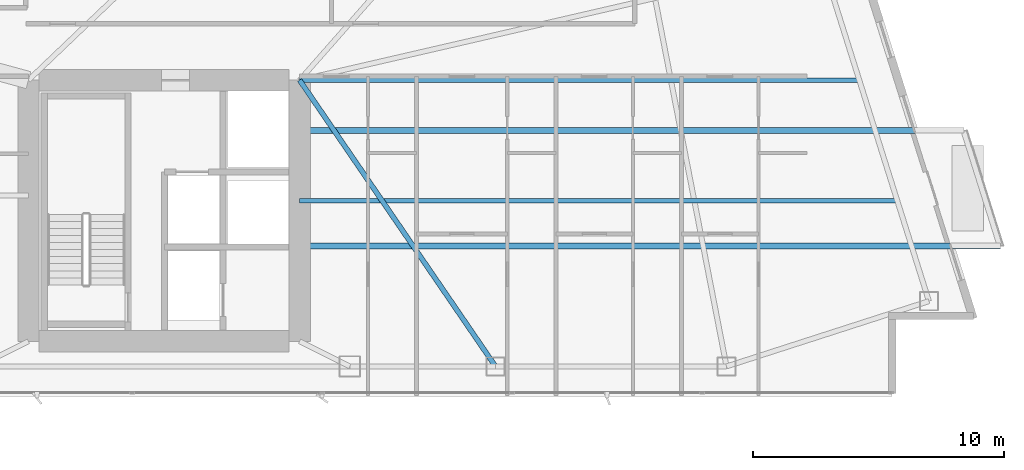
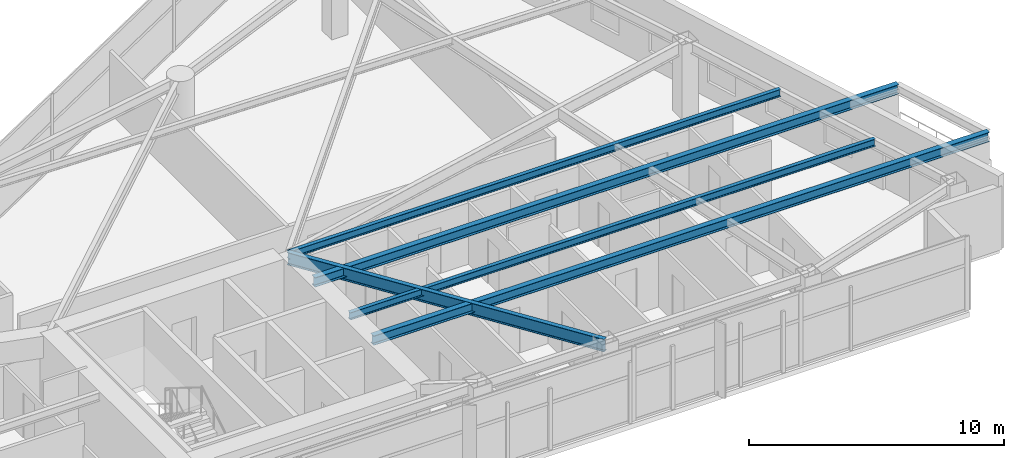
# One storey, part 13 of 29: 5 beams.
"""IFC4 building model written with IfcOpenShell, lengths in metres."""

from ifc_helpers import new_model, si_unit, direction, frame, origin, origin_2d, place, context, subcontext, project, spatial, i_section, extrude, material, material_profile, profile_set, type_object, element, save


model = new_model("IFC4")

# Units and contexts
model_context = context("Model", 3, precision=1e-05, world=origin(), true_north=direction((0.0, 1.0)))
body_context = subcontext(model_context, "Body", "Model", "MODEL_VIEW")
ifc_project = project(units=[si_unit("LENGTHUNIT", "METRE"), si_unit("AREAUNIT", "SQUARE_METRE"), si_unit("VOLUMEUNIT", "CUBIC_METRE"), si_unit("PLANEANGLEUNIT", "RADIAN"), si_unit("MASSUNIT", "GRAM", prefix="KILO")], contexts=[model_context])

# Site, building, storey
site_placement = place(None, origin())
site = spatial("IfcSite", under=ifc_project, at=site_placement, CompositionType="ELEMENT")
building_placement = place(site_placement, origin())
building = spatial("IfcBuilding", under=site, at=building_placement, Name="Calvorn Quay Hotel", CompositionType="ELEMENT")
storey_placement = place(building_placement, frame((0.0, 0.0, 167.5)))
storey = spatial("IfcBuildingStorey", under=building, at=storey_placement, Name="L41", CompositionType="ELEMENT", Elevation=167.5)

# Beams
ifc_material_1 = material(Name="Steel Q355B", Category="steel")
ifc_material_profile_1 = material_profile(ifc_material_1, i_section(OverallWidth=0.25, OverallDepth=0.449951171875, WebThickness=0.011962890625, FlangeThickness=0.01611328125, FilletRadius=0.01611328125, at=origin_2d()), Name="HN450x250x12x16")
ifc_profile_set_1 = profile_set([ifc_material_profile_1], Name="Steel Q355B")
beam_type_1 = type_object("IfcBeamType", Name="BM-CANT-BALC", PredefinedType="BEAM", material=ifc_profile_set_1)
beam_1_placement = place(storey_placement, frame((32.39990234375, 8.39990234375, 3.31494140625), z_axis=(1.0, 0.0, 0.0), x_axis=(0.0, 1.0, 0.0)))
element("IfcBeam", 1, at=beam_1_placement, inside=storey, type_object=beam_type_1, Name="Cantilever Balcony Beam BCB-L42-1A", PredefinedType="BEAM", context=body_context, shape_type="SweptSolid", body=[
    extrude(i_section(OverallWidth=0.25, OverallDepth=0.449951171875, WebThickness=0.011962890625, FlangeThickness=0.01611328125, FilletRadius=0.01611328125, at=origin_2d()), origin(), (0.0, 0.0, 1.0), 27.908203125),
])
beam_2_placement = place(storey_placement, frame((32.39990234375, 13.0, 3.31494140625), z_axis=(1.0, 0.0, 0.0), x_axis=(0.0, 1.0, 0.0)))
element("IfcBeam", 2, at=beam_2_placement, inside=storey, type_object=beam_type_1, Name="Cantilever Balcony Beam BCB-L42-1B", PredefinedType="BEAM", context=body_context, shape_type="SweptSolid", body=[
    extrude(i_section(OverallWidth=0.25, OverallDepth=0.449951171875, WebThickness=0.011962890625, FlangeThickness=0.01611328125, FilletRadius=0.01611328125, at=origin_2d()), origin(), (0.0, 0.0, 1.0), 26.4580078125),
])
ifc_material_2 = material(Name="Steel Q355B", Category="steel")
ifc_material_profile_2 = material_profile(ifc_material_2, i_section(OverallWidth=0.199951171875, OverallDepth=0.60009765625, WebThickness=0.010986328125, FlangeThickness=0.01708984375, FilletRadius=0.01806640625, at=origin_2d()), Name="HN600x200x11x17")
ifc_profile_set_2 = profile_set([ifc_material_profile_2], Name="Steel Q355B")
beam_type_2 = type_object("IfcBeamType", Name="BM-GIRD-TYP", PredefinedType="BEAM", material=ifc_profile_set_2)
beam_3_placement = place(storey_placement, frame((40.199951171875, 3.60009765625, 3.239990234375), z_axis=(-0.564689618177, 0.825303359452, 0.0), x_axis=(-0.825303359452, -0.564689618177, 0.0)))
element("IfcBeam", 3, at=beam_3_placement, inside=storey, type_object=beam_type_2, Name="Beam BG-L41-E6", PredefinedType="BEAM", context=body_context, shape_type="SweptSolid", body=[
    extrude(i_section(OverallWidth=0.199951171875, OverallDepth=0.60009765625, WebThickness=0.010986328125, FlangeThickness=0.01708984375, FilletRadius=0.01806640625, at=origin_2d()), origin(), (0.0, 0.0, 1.0), 13.81298828125),
])
ifc_material_3 = material(Name="Steel Q355B", Category="steel")
ifc_material_profile_3 = material_profile(ifc_material_3, i_section(OverallWidth=0.175048828125, OverallDepth=0.35009765625, WebThickness=0.007080078125, FlangeThickness=0.010986328125, FilletRadius=0.013916015625, at=origin_2d()), Name="HN350x175x7x11")
ifc_profile_set_3 = profile_set([ifc_material_profile_3], Name="Steel Q355B")
beam_type_3 = type_object("IfcBeamType", Name="BM-JOIST-SEC", PredefinedType="JOIST", material=ifc_profile_set_3)
beam_4_placement = place(storey_placement, frame((32.39990234375, 10.199951171875, 3.364990234375), z_axis=(1.0, 0.0, 0.0), x_axis=(0.0, 1.0, 0.0)))
element("IfcBeam", 4, at=beam_4_placement, inside=storey, type_object=beam_type_3, Name="Beam BJ-L41-E1", PredefinedType="JOIST", context=body_context, shape_type="SweptSolid", body=[
    extrude(i_section(OverallWidth=0.175048828125, OverallDepth=0.35009765625, WebThickness=0.007080078125, FlangeThickness=0.010986328125, FilletRadius=0.013916015625, at=origin_2d()), origin(), (0.0, 0.0, 1.0), 23.801025390625),
])
beam_5_placement = place(storey_placement, frame((32.39990234375, 15.0, 3.364990234375), z_axis=(1.0, 0.0, 0.0), x_axis=(0.0, 1.0, 0.0)))
element("IfcBeam", 5, at=beam_5_placement, inside=storey, type_object=beam_type_3, Name="Beam BJ-L41-E2", PredefinedType="JOIST", context=body_context, shape_type="SweptSolid", body=[
    extrude(i_section(OverallWidth=0.175048828125, OverallDepth=0.35009765625, WebThickness=0.007080078125, FlangeThickness=0.010986328125, FilletRadius=0.013916015625, at=origin_2d()), origin(), (0.0, 0.0, 1.0), 22.2880859375),
])

save(model, "model.ifc")
